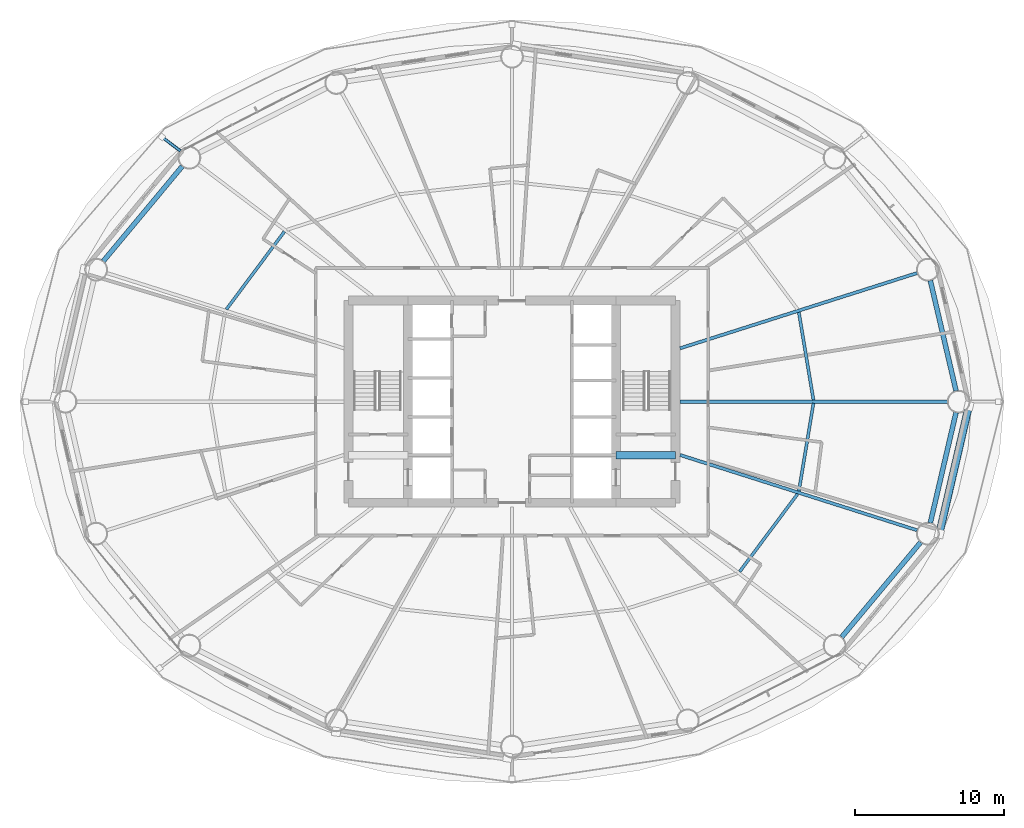
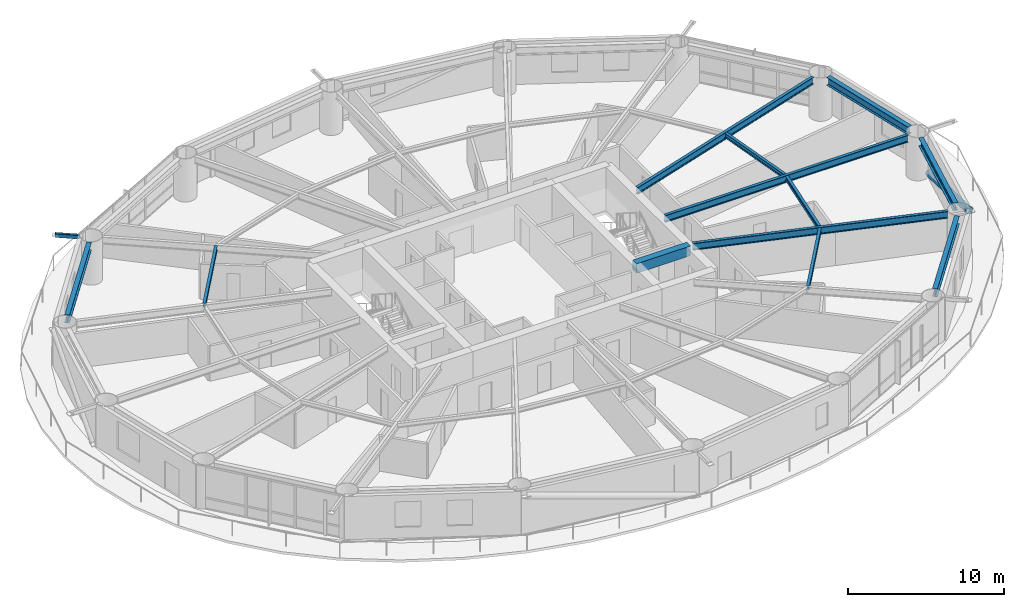
# One storey, part 9 of 26: 12 beams, 2 members.
"""IFC4 building model written with IfcOpenShell, lengths in metres."""

from ifc_helpers import new_model, si_unit, direction, frame, origin, origin_2d, place, context, subcontext, project, spatial, rectangle, hollow_rectangle, hollow_circle, i_section, extrude, material, material_profile, profile_set, type_object, element, save


model = new_model("IFC4")

# Units and contexts
model_context = context("Model", 3, precision=1e-05, world=origin(), true_north=direction((0.0, 1.0)))
body_context = subcontext(model_context, "Body", "Model", "MODEL_VIEW")
ifc_project = project(units=[si_unit("LENGTHUNIT", "METRE"), si_unit("AREAUNIT", "SQUARE_METRE"), si_unit("VOLUMEUNIT", "CUBIC_METRE"), si_unit("PLANEANGLEUNIT", "RADIAN"), si_unit("MASSUNIT", "GRAM", prefix="KILO")], contexts=[model_context])

# Site, building, storey
site_placement = place(None, origin())
site = spatial("IfcSite", under=ifc_project, at=site_placement, CompositionType="ELEMENT")
building_placement = place(site_placement, origin())
building = spatial("IfcBuilding", under=site, at=building_placement, Name="Sarneth Arch Tower", CompositionType="ELEMENT")
storey_placement = place(building_placement, frame((0.0, 0.0, 64.199951171875)))
storey = spatial("IfcBuildingStorey", under=building, at=storey_placement, Name="L15", CompositionType="ELEMENT", Elevation=64.199951171875)

# Beams
ifc_material_1 = material(Name="Steel S355", Category="steel")
ifc_material_profile_1 = material_profile(ifc_material_1, i_section(OverallWidth=0.202880859375, OverallDepth=0.346923828125, WebThickness=0.0078125, FlangeThickness=0.013427734375, FilletRadius=0.014892578125, at=origin_2d()), Name="W360x64")
ifc_profile_set_1 = profile_set([ifc_material_profile_1], Name="Steel S355")
beam_type_1 = type_object("IfcBeamType", Name="BM-JOIST-360C", PredefinedType="JOIST", material=ifc_profile_set_1)
beam_1_placement = place(storey_placement, frame((68.27490234375, 42.10546875, 3.20654296875), z_axis=(-0.16394288124, 0.986469833138, 0.0), x_axis=(-0.986469833138, -0.16394288124, 0.0)))
element("IfcBeam", 1, at=beam_1_placement, inside=storey, type_object=beam_type_1, Name="L15 Secondary floor joist 01", PredefinedType="JOIST", context=body_context, shape_type="SweptSolid", body=[
    extrude(i_section(OverallWidth=0.202880859375, OverallDepth=0.346923828125, WebThickness=0.0078125, FlangeThickness=0.013427734375, FilletRadius=0.014892578125, at=origin_2d()), origin(), (0.0, 0.0, 1.0), 5.989501953125),
])
for number, where, z_axis, x_axis, name in (
    (2, (32.691650390625, 53.4404296875, 3.20654296875), (-0.597700490469, -0.801719479428, 0.0), (0.801719479428, -0.597700490469, 0.0), "L15 Secondary floor joist 07"),
    (3, (63.308349609375, 30.5595703125, 3.20654296875), (0.597700490469, 0.801719479428, 0.0), (-0.801719479428, 0.597700490469, 0.0), "L15 Secondary floor joist 15"),
):
    element("IfcBeam", number, at=place(storey_placement, frame(where, z_axis=z_axis, x_axis=x_axis)), inside=storey, type_object=beam_type_1, Name=name, PredefinedType="JOIST", context=body_context, shape_type="SweptSolid", body=[
        extrude(i_section(OverallWidth=0.202880859375, OverallDepth=0.346923828125, WebThickness=0.0078125, FlangeThickness=0.013427734375, FilletRadius=0.014892578125, at=origin_2d()), origin(), (0.0, 0.0, 1.0), 6.5302734375),
    ])
beam_2_placement = place(storey_placement, frame((67.29296875, 35.986083984375, 3.20654296875), z_axis=(0.16394288124, 0.986469833138, 0.0), x_axis=(-0.986469833138, 0.16394288124, 0.0)))
element("IfcBeam", 4, at=beam_2_placement, inside=storey, type_object=beam_type_1, Name="L15 Secondary floor joist 16", PredefinedType="JOIST", context=body_context, shape_type="SweptSolid", body=[
    extrude(i_section(OverallWidth=0.202880859375, OverallDepth=0.346923828125, WebThickness=0.0078125, FlangeThickness=0.013427734375, FilletRadius=0.014892578125, at=origin_2d()), origin(), (0.0, 0.0, 1.0), 5.989501953125),
])
ifc_material_2 = material(Name="Concrete C50/60", Category="concrete")
ifc_material_profile_2 = material_profile(ifc_material_2, rectangle(XDim=0.5, YDim=0.75, at=origin_2d()), Name="RC-500x750")
ifc_profile_set_2 = profile_set([ifc_material_profile_2], Name="Concrete C50/60")
beam_type_2 = type_object("IfcBeamType", Name="BM-LINTEL-RC", PredefinedType="LINTEL", material=ifc_profile_set_2)
beam_3_placement = place(storey_placement, frame((55.0, 38.39990234375, 3.005126953125), z_axis=(1.0, 0.0, 0.0), x_axis=(0.0, 1.0, 0.0)))
element("IfcBeam", 5, at=beam_3_placement, inside=storey, type_object=beam_type_2, Name="L15 Core coupling lintel E", PredefinedType="LINTEL", context=body_context, shape_type="SweptSolid", body=[
    extrude(rectangle(XDim=0.5, YDim=0.75, at=origin_2d()), origin(), (0.0, 0.0, 1.0), 4.0),
])
ifc_material_3 = material(Name="Steel S355", Category="steel")
ifc_material_profile_3 = material_profile(ifc_material_3, i_section(OverallWidth=0.214111328125, OverallDepth=0.549072265625, WebThickness=0.0146484375, FlangeThickness=0.023681640625, FilletRadius=0.01806640625, at=origin_2d()), Name="W530x138")
ifc_profile_set_3 = profile_set([ifc_material_profile_3], Name="Steel S355")
beam_type_3 = type_object("IfcBeamType", Name="BM-RAD-530A", PredefinedType="BEAM", material=ifc_profile_set_3)
beam_4_placement = place(storey_placement, frame((59.300048828125, 42.0, 3.10546875), z_axis=(1.0, 0.0, 0.0), x_axis=(0.0, 1.0, 0.0)))
element("IfcBeam", 6, at=beam_4_placement, inside=storey, type_object=beam_type_3, Name="L15 Radial floor girder 01", PredefinedType="BEAM", context=body_context, shape_type="SweptSolid", body=[
    extrude(i_section(OverallWidth=0.214111328125, OverallDepth=0.549072265625, WebThickness=0.0146484375, FlangeThickness=0.023681640625, FilletRadius=0.01806640625, at=origin_2d()), origin(), (0.0, 0.0, 1.0), 17.98486328125),
])
for number, where, z_axis, x_axis, name in (
    (7, (59.300048828125, 45.58740234375, 3.10546875), (0.953119859464, 0.30259301627, 0.0), (-0.30259301627, 0.953119859464, 0.0), "L15 Radial floor girder 02"),
    (8, (59.300048828125, 38.41259765625, 3.10546875), (0.953119859464, -0.30259301627, 0.0), (0.30259301627, 0.953119859464, 0.0), "L15 Radial floor girder 16"),
):
    element("IfcBeam", number, at=place(storey_placement, frame(where, z_axis=z_axis, x_axis=x_axis)), inside=storey, type_object=beam_type_3, Name=name, PredefinedType="BEAM", context=body_context, shape_type="SweptSolid", body=[
        extrude(i_section(OverallWidth=0.214111328125, OverallDepth=0.549072265625, WebThickness=0.0146484375, FlangeThickness=0.023681640625, FilletRadius=0.01806640625, at=origin_2d()), origin(), (0.0, 0.0, 1.0), 16.7353515625),
    ])
ifc_material_4 = material(Name="Steel S355", Category="steel")
ifc_material_profile_4 = material_profile(ifc_material_4, i_section(OverallWidth=0.326904296875, OverallDepth=0.6220703125, WebThickness=0.015380859375, FlangeThickness=0.0244140625, FilletRadius=0.01904296875, at=origin_2d()), Name="W610x195")
ifc_profile_set_4 = profile_set([ifc_material_profile_4], Name="Steel S355")
beam_type_4 = type_object("IfcBeamType", Name="BM-SPAN-610A", PredefinedType="SPANDREL", material=ifc_profile_set_4)
beam_5_placement = place(storey_placement, frame((77.864501953125, 42.73046875, 3.069091796875), z_axis=(-0.226982354826, 0.973898870827, 0.0), x_axis=(-0.973898870827, -0.226982354826, 0.0)))
element("IfcBeam", 9, at=beam_5_placement, inside=storey, type_object=beam_type_4, Name="L15 Perimeter spandrel beam 01", PredefinedType="SPANDREL", context=body_context, shape_type="SweptSolid", body=[
    extrude(i_section(OverallWidth=0.326904296875, OverallDepth=0.6220703125, WebThickness=0.015380859375, FlangeThickness=0.0244140625, FilletRadius=0.01904296875, at=origin_2d()), origin(), (0.0, 0.0, 1.0), 7.6162109375),
])
for number, where, z_axis, x_axis, name in (
    (10, (25.8232421875, 57.82861328125, 3.069091796875), (-0.639981736251, -0.768390120489, 0.0), (0.768390120489, -0.639981736251, 0.0), "L15 Perimeter spandrel beam 07"),
    (11, (70.1767578125, 26.17138671875, 3.069091796875), (0.639981736251, 0.768390120489, 0.0), (-0.768390120489, 0.639981736251, 0.0), "L15 Perimeter spandrel beam 15"),
):
    element("IfcBeam", number, at=place(storey_placement, frame(where, z_axis=z_axis, x_axis=x_axis)), inside=storey, type_object=beam_type_4, Name=name, PredefinedType="SPANDREL", context=body_context, shape_type="SweptSolid", body=[
        extrude(i_section(OverallWidth=0.326904296875, OverallDepth=0.6220703125, WebThickness=0.015380859375, FlangeThickness=0.0244140625, FilletRadius=0.01904296875, at=origin_2d()), origin(), (0.0, 0.0, 1.0), 8.29541015625),
    ])
beam_6_placement = place(storey_placement, frame((76.1357421875, 33.85205078125, 3.069091796875), z_axis=(0.226982354826, 0.973898870827, 0.0), x_axis=(-0.973898870827, 0.226982354826, 0.0)))
element("IfcBeam", 12, at=beam_6_placement, inside=storey, type_object=beam_type_4, Name="L15 Perimeter spandrel beam 16", PredefinedType="SPANDREL", context=body_context, shape_type="SweptSolid", body=[
    extrude(i_section(OverallWidth=0.326904296875, OverallDepth=0.6220703125, WebThickness=0.015380859375, FlangeThickness=0.0244140625, FilletRadius=0.01904296875, at=origin_2d()), origin(), (0.0, 0.0, 1.0), 7.6162109375),
])

# Members
ifc_material_5 = material(Name="Steel S355", Category="steel")
ifc_material_profile_5 = material_profile(ifc_material_5, hollow_rectangle(XDim=0.199951171875, YDim=0.300048828125, WallThickness=0.012451171875, InnerFilletRadius=0.018798828125, OuterFilletRadius=0.03125, at=origin_2d()), Name="RHS300x200x12.5")
ifc_profile_set_5 = profile_set([ifc_material_profile_5], Name="Steel S355")
member_type_1 = type_object("IfcMemberType", Name="MEM-CANT-STRUT", PredefinedType="STRUT", material=ifc_profile_set_5)
member_1_placement = place(storey_placement, frame((25.705078125, 58.857177734375, 3.219970703125), z_axis=(-0.797683021349, 0.603076941569, 0.0), x_axis=(-0.603076941569, -0.797683021349, 0.0)))
element("IfcMember", 13, at=member_1_placement, inside=storey, type_object=member_type_1, Name="L15 Balcony cantilever bracket 07", PredefinedType="STRUT", context=body_context, shape_type="SweptSolid", body=[
    extrude(hollow_rectangle(XDim=0.199951171875, YDim=0.300048828125, WallThickness=0.012451171875, InnerFilletRadius=0.018798828125, OuterFilletRadius=0.03125, at=origin_2d()), origin(), (0.0, 0.0, 1.0), 1.572021484375),
])
ifc_material_6 = material(Name="Steel S355", Category="steel")
ifc_material_profile_6 = material_profile(ifc_material_6, hollow_circle(Radius=0.25390625, WallThickness=0.01611328125, at=origin_2d()), Name="CHS508x16")
ifc_profile_set_6 = profile_set([ifc_material_profile_6], Name="Steel S355")
member_type_2 = type_object("IfcMemberType", Name="MEM-DIAG-BR1", PredefinedType="BRACE", material=ifc_profile_set_6)
member_2_placement = place(storey_placement, frame((78.725341796875, 41.707763671875, 0.02001953125), z_axis=(-0.213332307958, -0.922814312474, 0.320785085492), x_axis=(0.974304339016, -0.225235554419, 0.0)))
element("IfcMember", 14, at=member_2_placement, inside=storey, type_object=member_type_2, Name="L15 Perimeter frame diagonal 16", PredefinedType="BRACE", context=body_context, shape_type="SweptSolid", body=[
    extrude(hollow_circle(Radius=0.25390625, WallThickness=0.01611328125, at=origin_2d()), origin(), (0.0, 0.0, 1.0), 9.31103515625),
])

save(model, "model.ifc")
